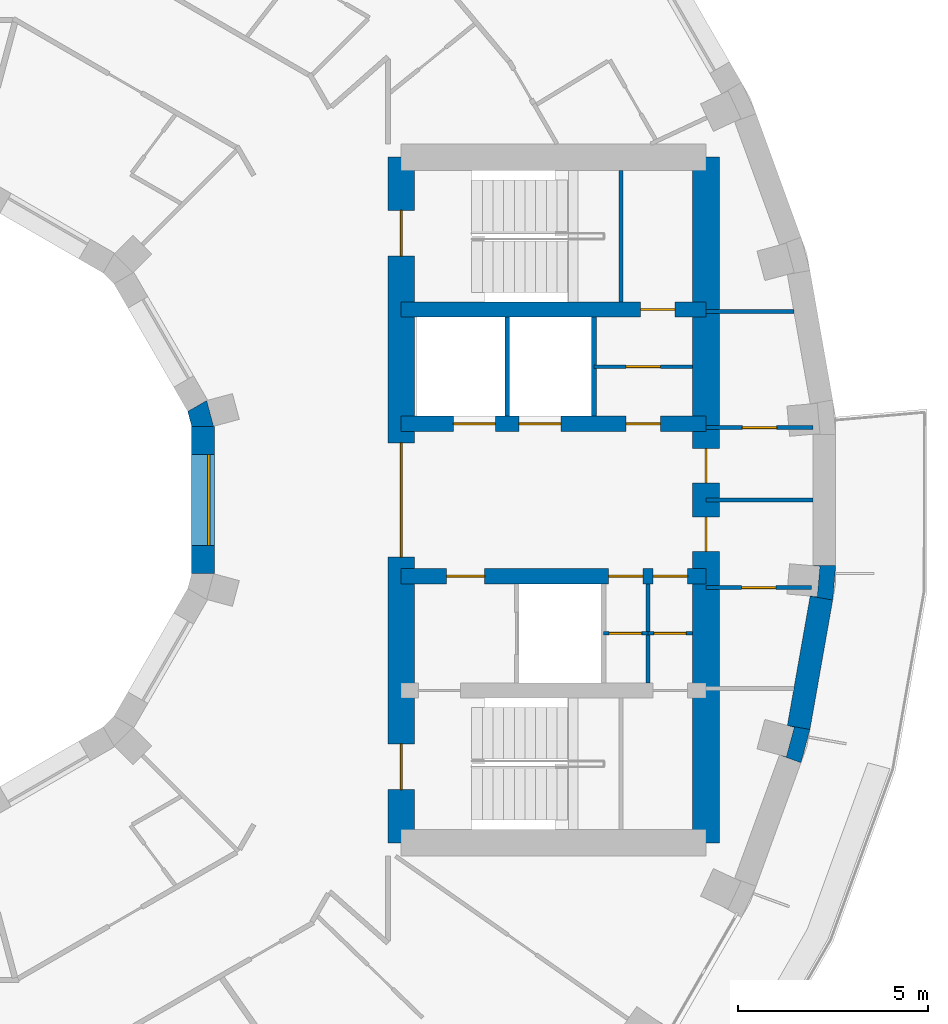
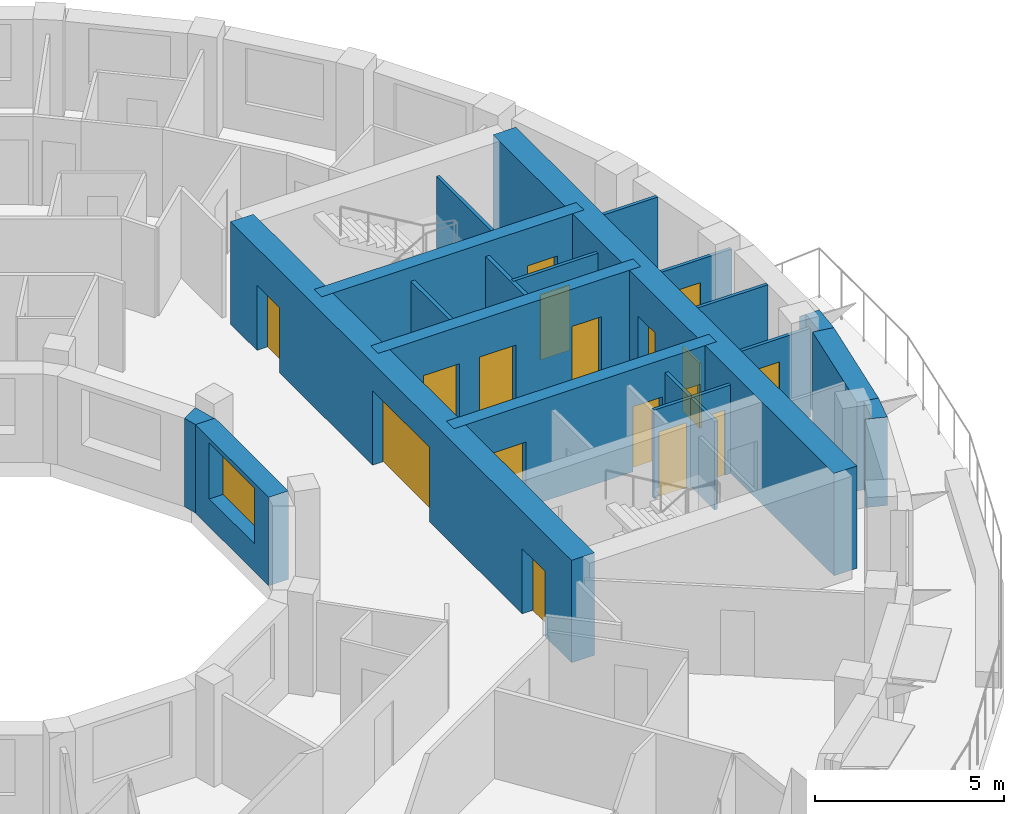
# One storey, part 9 of 14: 21 walls, 17 doors, 1 window, 18 openings.
"""IFC4 building model written with IfcOpenShell, lengths in metres."""

from ifc_helpers import new_model, si_unit, direction, frame, frame_2d, origin, place, context, subcontext, project, spatial, polyline, rectangle, outline, extrude, material, layer, layer_set, type_object, element, fill, save


model = new_model("IFC4")

# Units and contexts
model_context = context("Model", 3, precision=1e-05, world=origin(), true_north=direction((0.0, 1.0)))
body_context = subcontext(model_context, "Body", "Model", "MODEL_VIEW")
ifc_project = project(units=[si_unit("LENGTHUNIT", "METRE"), si_unit("AREAUNIT", "SQUARE_METRE"), si_unit("VOLUMEUNIT", "CUBIC_METRE"), si_unit("PLANEANGLEUNIT", "RADIAN"), si_unit("MASSUNIT", "GRAM", prefix="KILO")], contexts=[model_context])

# Site, building, storey
site_placement = place(None, origin())
site = spatial("IfcSite", under=ifc_project, at=site_placement, CompositionType="ELEMENT")
building_placement = place(site_placement, origin())
building = spatial("IfcBuilding", under=site, at=building_placement, Name="Saqina Gate Tower", CompositionType="ELEMENT")
storey_placement = place(building_placement, frame((0.0, 0.0, 170.699951171875)))
storey = spatial("IfcBuildingStorey", under=building, at=storey_placement, Name="L48", CompositionType="ELEMENT", Elevation=170.699951171875)

# Walls
ifc_material_1 = material(Name="Brick masonry (buff)", Category="masonry")
wall_type_1 = type_object("IfcWallType", Name="BRICK PIER COPING BUFF", PredefinedType="SOLIDWALL", material=ifc_material_1)
wall_1_placement = place(storey_placement, origin())
element("IfcWall", 1, at=wall_1_placement, inside=storey, type_object=wall_type_1, Name="Pier cap L48 column 35", PredefinedType="SOLIDWALL", context=body_context, shape_type="SweptSolid", body=[
    extrude(outline(polyline([(24.22705078125, -6.0234375), (23.635986328125, -5.919189453125), (23.81689453125, -5.967529296875), (23.610107421875, -6.740478515625), (23.428955078125, -6.69189453125), (23.992919921875, -6.897216796875), (24.22705078125, -6.0234375)])), origin(), (0.0, 0.0, 1.0), 2.85009765625),
])
wall_2_placement = place(storey_placement, origin())
element("IfcWall", 2, at=wall_2_placement, inside=storey, type_object=wall_type_1, Name="Pier cap L48 column 36", PredefinedType="SOLIDWALL", context=body_context, shape_type="SweptSolid", body=[
    extrude(outline(polyline([(24.825927734375, -2.6259765625), (24.90478515625, -1.724853515625), (24.304931640625, -1.724853515625), (24.491455078125, -1.7412109375), (24.421630859375, -2.5380859375), (24.235107421875, -2.521728515625), (24.825927734375, -2.6259765625)])), origin(), (0.0, 0.0, 1.0), 2.85009765625),
])
ifc_material_2 = material(Name="Gypsum board on steel studs", Category="steel")
ifc_layer_1 = layer(ifc_material_2, 0.10009765625)
ifc_layer_set_1 = layer_set([ifc_layer_1], Name="CORE PARTITION")
wall_type_2 = type_object("IfcWallType", Name="CORE PARTITION", PredefinedType="PARTITIONING", material=ifc_layer_set_1)
wall_3_placement = place(storey_placement, frame((21.5, 4.949951171875, 0.0), z_axis=(0.0, 0.0, 1.0), x_axis=(1.0, 0.0, 0.0)))
element("IfcWall", 3, at=wall_3_placement, inside=storey, type_object=wall_type_2, Name="L48-CP-E01", PredefinedType="PARTITIONING", context=body_context, shape_type="SweptSolid", body=[
    extrude(rectangle(XDim=2.306884765625, YDim=0.10009765625, at=frame_2d((1.1533203125, 0.0))), origin(), (0.0, 0.0, 1.0), 2.85009765625),
])

# Wall, opening, door
wall_4_placement = place(storey_placement, frame((21.5, 1.89990234375, 0.0), z_axis=(0.0, 0.0, 1.0), x_axis=(1.0, 0.0, 0.0)))
wall_4 = element("IfcWall", 4, at=wall_4_placement, inside=storey, type_object=wall_type_2, Name="L48-CP-E02", PredefinedType="PARTITIONING", context=body_context, shape_type="SweptSolid", body=[
    extrude(rectangle(XDim=2.804931640625, YDim=0.10009765625, at=frame_2d((1.40234375, 0.0))), origin(), (0.0, 0.0, 1.0), 2.85009765625),
])
opening_1_placement = place(wall_4_placement, frame((0.952392578125, 0.0, 0.0)))
opening_1 = element("IfcOpeningElement", 5, at=opening_1_placement, cuts=wall_4, Name="Opening G14-D94", PredefinedType="OPENING", context=body_context, shape_type="SweptSolid", body=[
    extrude(rectangle(XDim=0.89990234375, YDim=2.10009765625, at=frame_2d((0.449951171875, 1.050048828125))), frame((0.0, 0.06201171875, 0.0), z_axis=(0.0, -1.0, 0.0), x_axis=(1.0, 0.0, 0.0)), (0.0, 0.0, 1.0), 0.1240234375),
])
ifc_material_3 = material(Name="Steel-framed fire door leaf, EI 60", Category="steel")
door_type_1 = type_object("IfcDoorType", Name="SERVICE ROOM DOOR 900", OperationType="SINGLE_SWING_LEFT", PredefinedType="DOOR", material=ifc_material_3)
door_1_placement = place(opening_1_placement, origin())
door_1 = element("IfcDoor", 6, at=door_1_placement, inside=storey, type_object=door_type_1, Name="L48-CD-E05", OperationType="SINGLE_SWING_LEFT", OverallHeight=2.10009765625, OverallWidth=0.89990234375, PredefinedType="DOOR", context=body_context, shape_type="SweptSolid", body=[
    extrude(rectangle(XDim=0.89990234375, YDim=2.10009765625, at=frame_2d((0.449951171875, 1.050048828125))), frame((0.0, 0.02490234375, 0.0), z_axis=(0.0, -1.0, 0.0), x_axis=(1.0, 0.0, 0.0)), (0.0, 0.0, 1.0), 0.050048828125),
])
fill(opening_1, door_1)

wall_5_placement = place(storey_placement, frame((21.5, -2.300048828125, 0.0), z_axis=(0.0, 0.0, 1.0), x_axis=(1.0, 0.0, 0.0)))
wall_5 = element("IfcWall", 7, at=wall_5_placement, inside=storey, type_object=wall_type_2, Name="L48-CP-E04", PredefinedType="PARTITIONING", context=body_context, shape_type="SweptSolid", body=[
    extrude(rectangle(XDim=2.774169921875, YDim=0.10009765625, at=frame_2d((1.38720703125, 0.0))), origin(), (0.0, 0.0, 1.0), 2.85009765625),
])
opening_2_placement = place(wall_5_placement, frame((0.93701171875, 0.0, 0.0)))
opening_2 = element("IfcOpeningElement", 8, at=opening_2_placement, cuts=wall_5, Name="Opening G14-D96", PredefinedType="OPENING", context=body_context, shape_type="SweptSolid", body=[
    extrude(rectangle(XDim=0.89990234375, YDim=2.10009765625, at=frame_2d((0.449951171875, 1.050048828125))), frame((0.0, 0.06201171875, 0.0), z_axis=(0.0, -1.0, 0.0), x_axis=(1.0, 0.0, 0.0)), (0.0, 0.0, 1.0), 0.1240234375),
])
door_2_placement = place(opening_2_placement, frame((0.89990234375, 0.0, 0.0), z_axis=(0.0, 0.0, 1.0), x_axis=(-1.0, 0.0, 0.0)))
door_2 = element("IfcDoor", 9, at=door_2_placement, inside=storey, type_object=door_type_1, Name="L48-CD-E07", OperationType="SINGLE_SWING_RIGHT", OverallHeight=2.10009765625, OverallWidth=0.89990234375, PredefinedType="DOOR", context=body_context, shape_type="SweptSolid", body=[
    extrude(rectangle(XDim=0.89990234375, YDim=2.10009765625, at=frame_2d((0.449951171875, 1.050048828125))), frame((0.0, 0.02490234375, 0.0), z_axis=(0.0, -1.0, 0.0), x_axis=(1.0, 0.0, 0.0)), (0.0, 0.0, 1.0), 0.050048828125),
])
fill(opening_2, door_2)

# Walls
wall_6_placement = place(storey_placement, frame((21.5, 0.0, 0.0), z_axis=(0.0, 0.0, 1.0), x_axis=(1.0, 0.0, 0.0)))
element("IfcWall", 10, at=wall_6_placement, inside=storey, type_object=wall_type_2, Name="L48-CP-E05", PredefinedType="PARTITIONING", context=body_context, shape_type="SweptSolid", body=[
    extrude(rectangle(XDim=2.804931640625, YDim=0.10009765625, at=frame_2d((1.40234375, 0.0))), origin(), (0.0, 0.0, 1.0), 2.85009765625),
])
wall_7_placement = place(storey_placement, frame((19.97998046875, -4.800048828125, 0.0), z_axis=(0.0, 0.0, 1.0), x_axis=(0.0, 1.0, 0.0)))
element("IfcWall", 11, at=wall_7_placement, inside=storey, type_object=wall_type_2, Name="L48-CP-E10", PredefinedType="PARTITIONING", context=body_context, shape_type="SweptSolid", body=[
    extrude(rectangle(XDim=2.60009765625, YDim=0.10009765625, at=frame_2d((1.300048828125, 0.0))), origin(), (0.0, 0.0, 1.0), 2.85009765625),
])

# Wall, opening, door
wall_8_placement = place(storey_placement, frame((18.56005859375, 3.5, 0.0), z_axis=(0.0, 0.0, 1.0), x_axis=(1.0, 0.0, 0.0)))
wall_8 = element("IfcWall", 12, at=wall_8_placement, inside=storey, type_object=wall_type_2, Name="L48-CP-E11", PredefinedType="PARTITIONING", context=body_context, shape_type="SweptSolid", body=[
    extrude(rectangle(XDim=2.58984375, YDim=0.10009765625, at=frame_2d((1.294921875, 0.0))), origin(), (0.0, 0.0, 1.0), 2.85009765625),
])
opening_3_placement = place(wall_8_placement, frame((0.844970703125, 0.0, 0.0)))
opening_3 = element("IfcOpeningElement", 13, at=opening_3_placement, cuts=wall_8, Name="Opening G14-D98", PredefinedType="OPENING", context=body_context, shape_type="SweptSolid", body=[
    extrude(rectangle(XDim=0.89990234375, YDim=2.10009765625, at=frame_2d((0.449951171875, 1.050048828125))), frame((0.0, 0.06201171875, 0.0), z_axis=(0.0, -1.0, 0.0), x_axis=(1.0, 0.0, 0.0)), (0.0, 0.0, 1.0), 0.1240234375),
])
door_3_placement = place(opening_3_placement, origin())
door_3 = element("IfcDoor", 14, at=door_3_placement, inside=storey, type_object=door_type_1, Name="L48-CD-E09", OperationType="SINGLE_SWING_RIGHT", OverallHeight=2.10009765625, OverallWidth=0.89990234375, PredefinedType="DOOR", context=body_context, shape_type="SweptSolid", body=[
    extrude(rectangle(XDim=0.89990234375, YDim=2.10009765625, at=frame_2d((0.449951171875, 1.050048828125))), frame((0.0, 0.02490234375, 0.0), z_axis=(0.0, -1.0, 0.0), x_axis=(1.0, 0.0, 0.0)), (0.0, 0.0, 1.0), 0.050048828125),
])
fill(opening_3, door_3)

wall_9_placement = place(storey_placement, frame((18.81005859375, -3.5, 0.0), z_axis=(0.0, 0.0, 1.0), x_axis=(1.0, 0.0, 0.0)))
wall_9 = element("IfcWall", 15, at=wall_9_placement, inside=storey, type_object=wall_type_2, Name="L48-CP-E12", PredefinedType="PARTITIONING", context=body_context, shape_type="SweptSolid", body=[
    extrude(rectangle(XDim=1.169921875, YDim=0.10009765625, at=frame_2d((0.5849609375, 0.0))), origin(), (0.0, 0.0, 1.0), 2.85009765625),
])
opening_4_placement = place(wall_9_placement, frame((0.14990234375, 0.0, 0.0)))
opening_4 = element("IfcOpeningElement", 16, at=opening_4_placement, cuts=wall_9, Name="Opening G14-D100", PredefinedType="OPENING", context=body_context, shape_type="SweptSolid", body=[
    extrude(rectangle(XDim=0.85009765625, YDim=2.10009765625, at=frame_2d((0.425048828125, 1.050048828125))), frame((0.0, 0.06201171875, 0.0), z_axis=(0.0, -1.0, 0.0), x_axis=(1.0, 0.0, 0.0)), (0.0, 0.0, 1.0), 0.1240234375),
])
ifc_material_4 = material(Name="Steel-framed fire door leaf, EI 60", Category="steel")
door_type_2 = type_object("IfcDoorType", Name="SERVICE ROOM DOOR 850", OperationType="SINGLE_SWING_LEFT", PredefinedType="DOOR", material=ifc_material_4)
door_4_placement = place(opening_4_placement, frame((0.85009765625, 0.0, 0.0), z_axis=(0.0, 0.0, 1.0), x_axis=(-1.0, 0.0, 0.0)))
door_4 = element("IfcDoor", 17, at=door_4_placement, inside=storey, type_object=door_type_2, Name="L48-CD-E11", OperationType="SINGLE_SWING_RIGHT", OverallHeight=2.10009765625, OverallWidth=0.85009765625, PredefinedType="DOOR", context=body_context, shape_type="SweptSolid", body=[
    extrude(rectangle(XDim=0.85009765625, YDim=2.10009765625, at=frame_2d((0.425048828125, 1.050048828125))), frame((0.0, 0.02490234375, 0.0), z_axis=(0.0, -1.0, 0.0), x_axis=(1.0, 0.0, 0.0)), (0.0, 0.0, 1.0), 0.050048828125),
])
fill(opening_4, door_4)

wall_10_placement = place(storey_placement, frame((19.97998046875, -3.5, 0.0), z_axis=(0.0, 0.0, 1.0), x_axis=(1.0, 0.0, 0.0)))
wall_10 = element("IfcWall", 18, at=wall_10_placement, inside=storey, type_object=wall_type_2, Name="L48-CP-E13", PredefinedType="PARTITIONING", context=body_context, shape_type="SweptSolid", body=[
    extrude(rectangle(XDim=1.169921875, YDim=0.10009765625, at=frame_2d((0.5849609375, 0.0))), origin(), (0.0, 0.0, 1.0), 2.85009765625),
])
opening_5_placement = place(wall_10_placement, frame((0.14990234375, 0.0, 0.0)))
opening_5 = element("IfcOpeningElement", 19, at=opening_5_placement, cuts=wall_10, Name="Opening G14-D101", PredefinedType="OPENING", context=body_context, shape_type="SweptSolid", body=[
    extrude(rectangle(XDim=0.85009765625, YDim=2.10009765625, at=frame_2d((0.425048828125, 1.050048828125))), frame((0.0, 0.06201171875, 0.0), z_axis=(0.0, -1.0, 0.0), x_axis=(1.0, 0.0, 0.0)), (0.0, 0.0, 1.0), 0.1240234375),
])
door_5_placement = place(opening_5_placement, frame((0.85009765625, 0.0, 0.0), z_axis=(0.0, 0.0, 1.0), x_axis=(-1.0, 0.0, 0.0)))
door_5 = element("IfcDoor", 20, at=door_5_placement, inside=storey, type_object=door_type_2, Name="L48-CD-E12", OperationType="SINGLE_SWING_LEFT", OverallHeight=2.10009765625, OverallWidth=0.85009765625, PredefinedType="DOOR", context=body_context, shape_type="SweptSolid", body=[
    extrude(rectangle(XDim=0.85009765625, YDim=2.10009765625, at=frame_2d((0.425048828125, 1.050048828125))), frame((0.0, 0.02490234375, 0.0), z_axis=(0.0, -1.0, 0.0), x_axis=(1.0, 0.0, 0.0)), (0.0, 0.0, 1.0), 0.050048828125),
])
fill(opening_5, door_5)

# Wall
ifc_material_5 = material(Name="Glazed ceramic tile", Category="ceramic")
ifc_layer_2 = layer(ifc_material_5, 0.60009765625)
ifc_layer_set_2 = layer_set([ifc_layer_2], Name="FW-TILE")
wall_type_3 = type_object("IfcWallType", Name="FW-TILE", PredefinedType="SOLIDWALL", material=ifc_layer_set_2)
wall_11_placement = place(storey_placement, frame((23.931640625, -5.97119140625, 0.0), z_axis=(0.0, 0.0, 1.0), x_axis=(0.173607684551, 0.984814892183, 0.0)))
element("IfcWall", 21, at=wall_11_placement, inside=storey, type_object=wall_type_3, Name="Facade wall L48 facet 35", PredefinedType="SOLIDWALL", context=body_context, shape_type="SweptSolid", body=[
    extrude(rectangle(XDim=3.44970703125, YDim=0.60009765625, at=frame_2d((1.724853515625, 0.0))), origin(), (0.0, 0.0, 1.0), 2.85009765625),
])

# Wall, opening, window
ifc_material_6 = material(Name="Glazed ceramic tile", Category="ceramic")
ifc_layer_3 = layer(ifc_material_6, 0.60009765625)
ifc_layer_set_3 = layer_set([ifc_layer_3], Name="IW-TILE")
wall_type_4 = type_object("IfcWallType", Name="IW-TILE", PredefinedType="SOLIDWALL", material=ifc_layer_set_3)
wall_12_placement = place(storey_placement, frame((8.300048828125, -1.934814453125, 0.0), z_axis=(0.0, 0.0, 1.0), x_axis=(0.0, 1.0, 0.0)))
wall_12 = element("IfcWall", 22, at=wall_12_placement, inside=storey, type_object=wall_type_4, Name="Well wall L48 facet 12", PredefinedType="SOLIDWALL", context=body_context, shape_type="SweptSolid", body=[
    extrude(rectangle(XDim=3.86962890625, YDim=0.60009765625, at=frame_2d((1.934814453125, 0.0))), origin(), (0.0, 0.0, 1.0), 2.85009765625),
])
opening_6_placement = place(wall_12_placement, frame((0.73486328125, 0.0, 0.89990234375)))
opening_6 = element("IfcOpeningElement", 23, at=opening_6_placement, cuts=wall_12, Name="Opening G14-W35", PredefinedType="OPENING", context=body_context, shape_type="SweptSolid", body=[
    extrude(rectangle(XDim=2.39990234375, YDim=1.800048828125, at=frame_2d((1.199951171875, 0.89990234375))), frame((0.0, 0.31201171875, 0.0), z_axis=(0.0, -1.0, 0.0), x_axis=(1.0, 0.0, 0.0)), (0.0, 0.0, 1.0), 0.6240234375),
])
ifc_material_7 = material(Name="Aluminium glazing", Category="aluminium")
window_type = type_object("IfcWindowType", Name="WN-W", PartitioningType="SINGLE_PANEL", PredefinedType="WINDOW", material=ifc_material_7)
window_placement = place(opening_6_placement, origin())
window = element("IfcWindow", 24, at=window_placement, inside=storey, type_object=window_type, Name="Well window L48 facet 12", OverallHeight=1.800048828125, OverallWidth=2.39990234375, PartitioningType="SINGLE_PANEL", PredefinedType="WINDOW", context=body_context, shape_type="SweptSolid", body=[
    extrude(rectangle(XDim=2.39990234375, YDim=1.800048828125, at=frame_2d((1.199951171875, 0.89990234375))), frame((0.0, -0.119873046875, 0.0), z_axis=(0.0, -1.0, 0.0), x_axis=(1.0, 0.0, 0.0)), (0.0, 0.0, 1.0), 0.06005859375),
])
fill(opening_6, window)

# Walls
ifc_material_8 = material(Name="Autoclaved aerated concrete block", Category="concrete")
ifc_layer_4 = layer(ifc_material_8, 0.1201171875)
ifc_layer_set_4 = layer_set([ifc_layer_4], Name="SHAFT PARTITION")
wall_type_5 = type_object("IfcWallType", Name="SHAFT PARTITION", PredefinedType="PARTITIONING", material=ifc_layer_set_4)
for number, where, z_axis, x_axis, name in (
    (25, (16.280029296875, 2.199951171875, 0.0), (0.0, 0.0, 1.0), (0.0, 1.0, 0.0), "L48-CP-E06"),
    (26, (18.56005859375, 2.199951171875, 0.0), (0.0, 0.0, 1.0), (0.0, 1.0, 0.0), "L48-CP-E07"),
):
    element("IfcWall", number, at=place(storey_placement, frame(where, z_axis=z_axis, x_axis=x_axis)), inside=storey, type_object=wall_type_5, Name=name, PredefinedType="PARTITIONING", context=body_context, shape_type="SweptSolid", body=[
        extrude(rectangle(XDim=2.60009765625, YDim=0.1201171875, at=frame_2d((1.300048828125, 0.0))), origin(), (0.0, 0.0, 1.0), 2.85009765625),
    ])
ifc_material_9 = material(Name="Autoclaved aerated concrete block", Category="concrete")
ifc_layer_5 = layer(ifc_material_9, 0.10009765625)
ifc_layer_set_5 = layer_set([ifc_layer_5], Name="STAIR ENCLOSURE WALL")
wall_type_6 = type_object("IfcWallType", Name="STAIR ENCLOSURE WALL", PredefinedType="PARTITIONING", material=ifc_layer_set_5)
wall_13_placement = place(storey_placement, frame((19.27001953125, 5.199951171875, 0.0), z_axis=(0.0, 0.0, 1.0), x_axis=(0.0, 1.0, 0.0)))
element("IfcWall", 27, at=wall_13_placement, inside=storey, type_object=wall_type_6, Name="L48-CP-E14", PredefinedType="PARTITIONING", context=body_context, shape_type="SweptSolid", body=[
    extrude(rectangle(XDim=3.449951171875, YDim=0.10009765625, at=frame_2d((1.72509765625, 0.0))), origin(), (0.0, 0.0, 1.0), 2.85009765625),
])

# Wall, opening, door
ifc_material_10 = material(Name="Concrete C60/75", Category="concrete")
ifc_layer_6 = layer(ifc_material_10, 0.39990234375)
ifc_layer_set_6 = layer_set([ifc_layer_6], Name="Concrete C60/75")
wall_type_7 = type_object("IfcWallType", Name="STR-CORE WALL-C-I", PredefinedType="SHEAR", material=ifc_layer_set_6)
wall_14_placement = place(storey_placement, frame((13.5, 5.0, 0.0), z_axis=(0.0, 0.0, 1.0), x_axis=(1.0, 0.0, 0.0)))
wall_14 = element("IfcWall", 28, at=wall_14_placement, inside=storey, type_object=wall_type_7, Name="CORE WALL L48 E-X1", PredefinedType="SHEAR", context=body_context, shape_type="SweptSolid", body=[
    extrude(rectangle(XDim=8.0, YDim=0.39990234375, at=frame_2d((4.0, 0.0))), origin(), (0.0, 0.0, 1.0), 3.300048828125),
])
opening_7_placement = place(wall_14_placement, frame((6.284912109375, 0.0, 0.0)))
opening_7 = element("IfcOpeningElement", 29, at=opening_7_placement, cuts=wall_14, Name="Opening G14-D99", PredefinedType="OPENING", context=body_context, shape_type="SweptSolid", body=[
    extrude(rectangle(XDim=0.89990234375, YDim=2.10009765625, at=frame_2d((0.449951171875, 1.050048828125))), frame((0.0, 0.2119140625, 0.0), z_axis=(0.0, -1.0, 0.0), x_axis=(1.0, 0.0, 0.0)), (0.0, 0.0, 1.0), 0.423828125),
])
door_6_placement = place(opening_7_placement, origin())
door_6 = element("IfcDoor", 30, at=door_6_placement, inside=storey, type_object=door_type_1, Name="L48-CD-E10", OperationType="SINGLE_SWING_RIGHT", OverallHeight=2.10009765625, OverallWidth=0.89990234375, PredefinedType="DOOR", context=body_context, shape_type="SweptSolid", body=[
    extrude(rectangle(XDim=0.89990234375, YDim=2.10009765625, at=frame_2d((0.449951171875, 1.050048828125))), frame((0.0, 0.02490234375, 0.0), z_axis=(0.0, -1.0, 0.0), x_axis=(1.0, 0.0, 0.0)), (0.0, 0.0, 1.0), 0.050048828125),
])
fill(opening_7, door_6)

# Wall, openings, doors
wall_15_placement = place(storey_placement, frame((13.5, 2.0, 0.0), z_axis=(0.0, 0.0, 1.0), x_axis=(1.0, 0.0, 0.0)))
wall_15 = element("IfcWall", 31, at=wall_15_placement, inside=storey, type_object=wall_type_7, Name="CORE WALL L48 E-L1", PredefinedType="SHEAR", context=body_context, shape_type="SweptSolid", body=[
    extrude(rectangle(XDim=8.0, YDim=0.39990234375, at=frame_2d((4.0, 0.0))), origin(), (0.0, 0.0, 1.0), 3.300048828125),
])
opening_8_placement = place(wall_15_placement, frame((1.3701171875, 0.0, 0.0)))
opening_8 = element("IfcOpeningElement", 32, at=opening_8_placement, cuts=wall_15, Name="Opening G14-LD1", PredefinedType="OPENING", context=body_context, shape_type="SweptSolid", body=[
    extrude(rectangle(XDim=1.10009765625, YDim=2.10009765625, at=frame_2d((0.550048828125, 1.050048828125))), frame((0.0, 0.2119140625, 0.0), z_axis=(0.0, -1.0, 0.0), x_axis=(1.0, 0.0, 0.0)), (0.0, 0.0, 1.0), 0.423828125),
])
opening_9_placement = place(wall_15_placement, frame((3.090087890625, 0.0, 0.0)))
opening_9 = element("IfcOpeningElement", 33, at=opening_9_placement, cuts=wall_15, Name="Opening G14-LD2", PredefinedType="OPENING", context=body_context, shape_type="SweptSolid", body=[
    extrude(rectangle(XDim=1.10009765625, YDim=2.10009765625, at=frame_2d((0.550048828125, 1.050048828125))), frame((0.0, 0.2119140625, 0.0), z_axis=(0.0, -1.0, 0.0), x_axis=(1.0, 0.0, 0.0)), (0.0, 0.0, 1.0), 0.423828125),
])
opening_10_placement = place(wall_15_placement, frame((5.905029296875, 0.0, 0.0)))
opening_10 = element("IfcOpeningElement", 34, at=opening_10_placement, cuts=wall_15, Name="Opening G14-D90", PredefinedType="OPENING", context=body_context, shape_type="SweptSolid", body=[
    extrude(rectangle(XDim=0.89990234375, YDim=2.10009765625, at=frame_2d((0.449951171875, 1.050048828125))), frame((0.0, 0.2119140625, 0.0), z_axis=(0.0, -1.0, 0.0), x_axis=(1.0, 0.0, 0.0)), (0.0, 0.0, 1.0), 0.423828125),
])
ifc_material_11 = material(Name="Stainless steel", Category="steel")
door_type_3 = type_object("IfcDoorType", Name="LANDING DOOR", OperationType="DOUBLE_DOOR_SLIDING", PredefinedType="DOOR", material=ifc_material_11)
door_7_placement = place(opening_8_placement, origin())
door_7 = element("IfcDoor", 35, at=door_7_placement, inside=storey, type_object=door_type_3, Name="LANDING DOOR HR1", OperationType="DOUBLE_DOOR_SLIDING", OverallHeight=2.10009765625, OverallWidth=1.10009765625, PredefinedType="DOOR", context=body_context, shape_type="SweptSolid", body=[
    extrude(rectangle(XDim=1.10009765625, YDim=2.10009765625, at=frame_2d((0.550048828125, 1.050048828125))), frame((0.0, 0.02490234375, 0.0), z_axis=(0.0, -1.0, 0.0), x_axis=(1.0, 0.0, 0.0)), (0.0, 0.0, 1.0), 0.050048828125),
])
fill(opening_8, door_7)
door_8_placement = place(opening_9_placement, origin())
door_8 = element("IfcDoor", 36, at=door_8_placement, inside=storey, type_object=door_type_3, Name="LANDING DOOR HR2", OperationType="DOUBLE_DOOR_SLIDING", OverallHeight=2.10009765625, OverallWidth=1.10009765625, PredefinedType="DOOR", context=body_context, shape_type="SweptSolid", body=[
    extrude(rectangle(XDim=1.10009765625, YDim=2.10009765625, at=frame_2d((0.550048828125, 1.050048828125))), frame((0.0, 0.02490234375, 0.0), z_axis=(0.0, -1.0, 0.0), x_axis=(1.0, 0.0, 0.0)), (0.0, 0.0, 1.0), 0.050048828125),
])
fill(opening_9, door_8)
door_9_placement = place(opening_10_placement, origin())
door_9 = element("IfcDoor", 37, at=door_9_placement, inside=storey, type_object=door_type_1, Name="L48-CD-E01", OperationType="SINGLE_SWING_RIGHT", OverallHeight=2.10009765625, OverallWidth=0.89990234375, PredefinedType="DOOR", context=body_context, shape_type="SweptSolid", body=[
    extrude(rectangle(XDim=0.89990234375, YDim=2.10009765625, at=frame_2d((0.449951171875, 1.050048828125))), frame((0.0, 0.02490234375, 0.0), z_axis=(0.0, -1.0, 0.0), x_axis=(1.0, 0.0, 0.0)), (0.0, 0.0, 1.0), 0.050048828125),
])
fill(opening_10, door_9)

wall_16_placement = place(storey_placement, frame((13.5, -2.0, 0.0), z_axis=(0.0, 0.0, 1.0), x_axis=(1.0, 0.0, 0.0)))
wall_16 = element("IfcWall", 38, at=wall_16_placement, inside=storey, type_object=wall_type_7, Name="CORE WALL L48 E-L2", PredefinedType="SHEAR", context=body_context, shape_type="SweptSolid", body=[
    extrude(rectangle(XDim=8.0, YDim=0.39990234375, at=frame_2d((4.0, 0.0))), origin(), (0.0, 0.0, 1.0), 3.300048828125),
])
opening_11_placement = place(wall_16_placement, frame((1.18994140625, 0.0, 0.0)))
opening_11 = element("IfcOpeningElement", 39, at=opening_11_placement, cuts=wall_16, Name="Opening G14-D91", PredefinedType="OPENING", context=body_context, shape_type="SweptSolid", body=[
    extrude(rectangle(XDim=1.0, YDim=2.10009765625, at=frame_2d((0.5, 1.050048828125))), frame((0.0, 0.2119140625, 0.0), z_axis=(0.0, -1.0, 0.0), x_axis=(1.0, 0.0, 0.0)), (0.0, 0.0, 1.0), 0.423828125),
])
opening_12_placement = place(wall_16_placement, frame((5.445068359375, 0.0, 0.0)))
opening_12 = element("IfcOpeningElement", 40, at=opening_12_placement, cuts=wall_16, Name="Opening G14-D92", PredefinedType="OPENING", context=body_context, shape_type="SweptSolid", body=[
    extrude(rectangle(XDim=0.89990234375, YDim=2.10009765625, at=frame_2d((0.449951171875, 1.050048828125))), frame((0.0, 0.2119140625, 0.0), z_axis=(0.0, -1.0, 0.0), x_axis=(1.0, 0.0, 0.0)), (0.0, 0.0, 1.0), 0.423828125),
])
opening_13_placement = place(wall_16_placement, frame((6.614990234375, 0.0, 0.0)))
opening_13 = element("IfcOpeningElement", 41, at=opening_13_placement, cuts=wall_16, Name="Opening G14-D93", PredefinedType="OPENING", context=body_context, shape_type="SweptSolid", body=[
    extrude(rectangle(XDim=0.89990234375, YDim=2.10009765625, at=frame_2d((0.449951171875, 1.050048828125))), frame((0.0, 0.2119140625, 0.0), z_axis=(0.0, -1.0, 0.0), x_axis=(1.0, 0.0, 0.0)), (0.0, 0.0, 1.0), 0.423828125),
])
ifc_material_12 = material(Name="Steel", Category="steel")
door_type_4 = type_object("IfcDoorType", Name="FIRE LOBBY DOOR EI 60", OperationType="SINGLE_SWING_LEFT", PredefinedType="DOOR", material=ifc_material_12)
door_10_placement = place(opening_11_placement, origin())
door_10 = element("IfcDoor", 42, at=door_10_placement, inside=storey, type_object=door_type_4, Name="L48-CD-E02", OperationType="SINGLE_SWING_LEFT", OverallHeight=2.10009765625, OverallWidth=1.0, PredefinedType="DOOR", context=body_context, shape_type="SweptSolid", body=[
    extrude(rectangle(XDim=1.0, YDim=2.10009765625, at=frame_2d((0.5, 1.050048828125))), frame((0.0, 0.02490234375, 0.0), z_axis=(0.0, -1.0, 0.0), x_axis=(1.0, 0.0, 0.0)), (0.0, 0.0, 1.0), 0.050048828125),
])
fill(opening_11, door_10)
door_11_placement = place(opening_12_placement, frame((0.89990234375, 0.0, 0.0), z_axis=(0.0, 0.0, 1.0), x_axis=(-1.0, 0.0, 0.0)))
door_11 = element("IfcDoor", 43, at=door_11_placement, inside=storey, type_object=door_type_1, Name="L48-CD-E03", OperationType="SINGLE_SWING_RIGHT", OverallHeight=2.10009765625, OverallWidth=0.89990234375, PredefinedType="DOOR", context=body_context, shape_type="SweptSolid", body=[
    extrude(rectangle(XDim=0.89990234375, YDim=2.10009765625, at=frame_2d((0.449951171875, 1.050048828125))), frame((0.0, 0.02490234375, 0.0), z_axis=(0.0, -1.0, 0.0), x_axis=(1.0, 0.0, 0.0)), (0.0, 0.0, 1.0), 0.050048828125),
])
fill(opening_12, door_11)
door_12_placement = place(opening_13_placement, frame((0.89990234375, 0.0, 0.0), z_axis=(0.0, 0.0, 1.0), x_axis=(-1.0, 0.0, 0.0)))
door_12 = element("IfcDoor", 44, at=door_12_placement, inside=storey, type_object=door_type_1, Name="L48-CD-E04", OperationType="SINGLE_SWING_LEFT", OverallHeight=2.10009765625, OverallWidth=0.89990234375, PredefinedType="DOOR", context=body_context, shape_type="SweptSolid", body=[
    extrude(rectangle(XDim=0.89990234375, YDim=2.10009765625, at=frame_2d((0.449951171875, 1.050048828125))), frame((0.0, 0.02490234375, 0.0), z_axis=(0.0, -1.0, 0.0), x_axis=(1.0, 0.0, 0.0)), (0.0, 0.0, 1.0), 0.050048828125),
])
fill(opening_13, door_12)

ifc_material_13 = material(Name="Concrete C60/75", Category="concrete")
ifc_layer_7 = layer(ifc_material_13, 0.699951171875)
ifc_layer_set_7 = layer_set([ifc_layer_7], Name="Concrete C60/75")
wall_type_8 = type_object("IfcWallType", Name="STR-CORE WALL-C-O", PredefinedType="SHEAR", material=ifc_layer_set_7)
wall_17_placement = place(storey_placement, frame((13.5, -9.0, 0.0), z_axis=(0.0, 0.0, 1.0), x_axis=(0.0, 1.0, 0.0)))
wall_17 = element("IfcWall", 45, at=wall_17_placement, inside=storey, type_object=wall_type_8, Name="CORE WALL L48 E-W1", PredefinedType="SHEAR", context=body_context, shape_type="SweptSolid", body=[
    extrude(rectangle(XDim=18.0, YDim=0.699951171875, at=frame_2d((9.0, 0.0))), origin(), (0.0, 0.0, 1.0), 3.300048828125),
])
opening_14_placement = place(wall_17_placement, frame((15.39990234375, 0.0, 0.0)))
opening_14 = element("IfcOpeningElement", 46, at=opening_14_placement, cuts=wall_17, Name="Opening G14-D104", PredefinedType="OPENING", context=body_context, shape_type="SweptSolid", body=[
    extrude(rectangle(XDim=1.199951171875, YDim=2.10009765625, at=frame_2d((0.60009765625, 1.050048828125))), frame((0.0, 0.362060546875, 0.0), z_axis=(0.0, -1.0, 0.0), x_axis=(1.0, 0.0, 0.0)), (0.0, 0.0, 1.0), 0.723876953125),
])
opening_15_placement = place(wall_17_placement, frame((1.39990234375, 0.0, 0.0)))
opening_15 = element("IfcOpeningElement", 47, at=opening_15_placement, cuts=wall_17, Name="Opening G14-D105", PredefinedType="OPENING", context=body_context, shape_type="SweptSolid", body=[
    extrude(rectangle(XDim=1.199951171875, YDim=2.10009765625, at=frame_2d((0.60009765625, 1.050048828125))), frame((0.0, 0.362060546875, 0.0), z_axis=(0.0, -1.0, 0.0), x_axis=(1.0, 0.0, 0.0)), (0.0, 0.0, 1.0), 0.723876953125),
])
opening_16_placement = place(wall_17_placement, frame((7.5, 0.0, 0.0)))
opening_16 = element("IfcOpeningElement", 48, at=opening_16_placement, cuts=wall_17, Name="Opening G14-D106", PredefinedType="OPENING", context=body_context, shape_type="SweptSolid", body=[
    extrude(rectangle(XDim=3.0, YDim=2.39990234375, at=frame_2d((1.5, 1.199951171875))), frame((0.0, 0.362060546875, 0.0), z_axis=(0.0, -1.0, 0.0), x_axis=(1.0, 0.0, 0.0)), (0.0, 0.0, 1.0), 0.723876953125),
])
ifc_material_14 = material(Name="Steel", Category="steel")
door_type_5 = type_object("IfcDoorType", Name="FIRE DOOR EI 60", OperationType="SINGLE_SWING_LEFT", PredefinedType="DOOR", material=ifc_material_14)
door_13_placement = place(opening_14_placement, frame((1.199951171875, 0.0, 0.0), z_axis=(0.0, 0.0, 1.0), x_axis=(-1.0, 0.0, 0.0)))
door_13 = element("IfcDoor", 49, at=door_13_placement, inside=storey, type_object=door_type_5, Name="L48-CD-E15", OperationType="SINGLE_SWING_LEFT", OverallHeight=2.10009765625, OverallWidth=1.199951171875, PredefinedType="DOOR", context=body_context, shape_type="SweptSolid", body=[
    extrude(rectangle(XDim=1.199951171875, YDim=2.10009765625, at=frame_2d((0.60009765625, 1.050048828125))), frame((0.0, 0.02490234375, 0.0), z_axis=(0.0, -1.0, 0.0), x_axis=(1.0, 0.0, 0.0)), (0.0, 0.0, 1.0), 0.050048828125),
])
fill(opening_14, door_13)
door_14_placement = place(opening_15_placement, frame((1.199951171875, 0.0, 0.0), z_axis=(0.0, 0.0, 1.0), x_axis=(-1.0, 0.0, 0.0)))
door_14 = element("IfcDoor", 50, at=door_14_placement, inside=storey, type_object=door_type_5, Name="L48-CD-E16", OperationType="SINGLE_SWING_RIGHT", OverallHeight=2.10009765625, OverallWidth=1.199951171875, PredefinedType="DOOR", context=body_context, shape_type="SweptSolid", body=[
    extrude(rectangle(XDim=1.199951171875, YDim=2.10009765625, at=frame_2d((0.60009765625, 1.050048828125))), frame((0.0, 0.02490234375, 0.0), z_axis=(0.0, -1.0, 0.0), x_axis=(1.0, 0.0, 0.0)), (0.0, 0.0, 1.0), 0.050048828125),
])
fill(opening_15, door_14)
ifc_material_15 = material(Name="Steel and fire-resisting glass", Category="steel")
door_type_6 = type_object("IfcDoorType", Name="LOBBY SCREEN DOOR", OperationType="DOUBLE_DOOR_SLIDING", PredefinedType="DOOR", material=ifc_material_15)
door_15_placement = place(opening_16_placement, origin())
door_15 = element("IfcDoor", 51, at=door_15_placement, inside=storey, type_object=door_type_6, Name="L48-CD-E17", OperationType="DOUBLE_DOOR_SLIDING", OverallHeight=2.39990234375, OverallWidth=3.0, PredefinedType="DOOR", context=body_context, shape_type="SweptSolid", body=[
    extrude(rectangle(XDim=3.0, YDim=2.39990234375, at=frame_2d((1.5, 1.199951171875))), frame((0.0, 0.02490234375, 0.0), z_axis=(0.0, -1.0, 0.0), x_axis=(1.0, 0.0, 0.0)), (0.0, 0.0, 1.0), 0.050048828125),
])
fill(opening_16, door_15)

wall_18_placement = place(storey_placement, frame((21.5, -9.0, 0.0), z_axis=(0.0, 0.0, 1.0), x_axis=(0.0, 1.0, 0.0)))
wall_18 = element("IfcWall", 52, at=wall_18_placement, inside=storey, type_object=wall_type_8, Name="CORE WALL L48 E-W2", PredefinedType="SHEAR", context=body_context, shape_type="SweptSolid", body=[
    extrude(rectangle(XDim=18.0, YDim=0.699951171875, at=frame_2d((9.0, 0.0))), origin(), (0.0, 0.0, 1.0), 3.300048828125),
])
opening_17_placement = place(wall_18_placement, frame((9.449951171875, 0.0, 0.0)))
opening_17 = element("IfcOpeningElement", 53, at=opening_17_placement, cuts=wall_18, Name="Opening G14-D95", PredefinedType="OPENING", context=body_context, shape_type="SweptSolid", body=[
    extrude(rectangle(XDim=0.89990234375, YDim=2.10009765625, at=frame_2d((0.449951171875, 1.050048828125))), frame((0.0, 0.362060546875, 0.0), z_axis=(0.0, -1.0, 0.0), x_axis=(1.0, 0.0, 0.0)), (0.0, 0.0, 1.0), 0.723876953125),
])
opening_18_placement = place(wall_18_placement, frame((7.64990234375, 0.0, 0.0)))
opening_18 = element("IfcOpeningElement", 54, at=opening_18_placement, cuts=wall_18, Name="Opening G14-D97", PredefinedType="OPENING", context=body_context, shape_type="SweptSolid", body=[
    extrude(rectangle(XDim=0.89990234375, YDim=2.10009765625, at=frame_2d((0.449951171875, 1.050048828125))), frame((0.0, 0.362060546875, 0.0), z_axis=(0.0, -1.0, 0.0), x_axis=(1.0, 0.0, 0.0)), (0.0, 0.0, 1.0), 0.723876953125),
])
door_16_placement = place(opening_17_placement, frame((0.89990234375, 0.0, 0.0), z_axis=(0.0, 0.0, 1.0), x_axis=(-1.0, 0.0, 0.0)))
door_16 = element("IfcDoor", 55, at=door_16_placement, inside=storey, type_object=door_type_1, Name="L48-CD-E06", OperationType="SINGLE_SWING_LEFT", OverallHeight=2.10009765625, OverallWidth=0.89990234375, PredefinedType="DOOR", context=body_context, shape_type="SweptSolid", body=[
    extrude(rectangle(XDim=0.89990234375, YDim=2.10009765625, at=frame_2d((0.449951171875, 1.050048828125))), frame((0.0, 0.02490234375, 0.0), z_axis=(0.0, -1.0, 0.0), x_axis=(1.0, 0.0, 0.0)), (0.0, 0.0, 1.0), 0.050048828125),
])
fill(opening_17, door_16)
door_17_placement = place(opening_18_placement, frame((0.89990234375, 0.0, 0.0), z_axis=(0.0, 0.0, 1.0), x_axis=(-1.0, 0.0, 0.0)))
door_17 = element("IfcDoor", 56, at=door_17_placement, inside=storey, type_object=door_type_1, Name="L48-CD-E08", OperationType="SINGLE_SWING_LEFT", OverallHeight=2.10009765625, OverallWidth=0.89990234375, PredefinedType="DOOR", context=body_context, shape_type="SweptSolid", body=[
    extrude(rectangle(XDim=0.89990234375, YDim=2.10009765625, at=frame_2d((0.449951171875, 1.050048828125))), frame((0.0, 0.02490234375, 0.0), z_axis=(0.0, -1.0, 0.0), x_axis=(1.0, 0.0, 0.0)), (0.0, 0.0, 1.0), 0.050048828125),
])
fill(opening_18, door_17)

# Wall
ifc_material_16 = material(Name="Glazed ceramic tile", Category="ceramic")
wall_type_9 = type_object("IfcWallType", Name="TILE PIER COPING", PredefinedType="SOLIDWALL", material=ifc_material_16)
wall_19_placement = place(storey_placement, origin())
element("IfcWall", 57, at=wall_19_placement, inside=storey, type_object=wall_type_9, Name="Well pier cap L48 column 1", PredefinedType="SOLIDWALL", context=body_context, shape_type="SweptSolid", body=[
    extrude(outline(polyline([(8.392333984375, 2.611083984375), (7.895751953125, 2.32421875), (8.0, 1.934814453125), (8.573486328125, 1.934814453125), (8.392333984375, 2.611083984375)])), origin(), (0.0, 0.0, 1.0), 2.85009765625),
])

save(model, "model.ifc")
